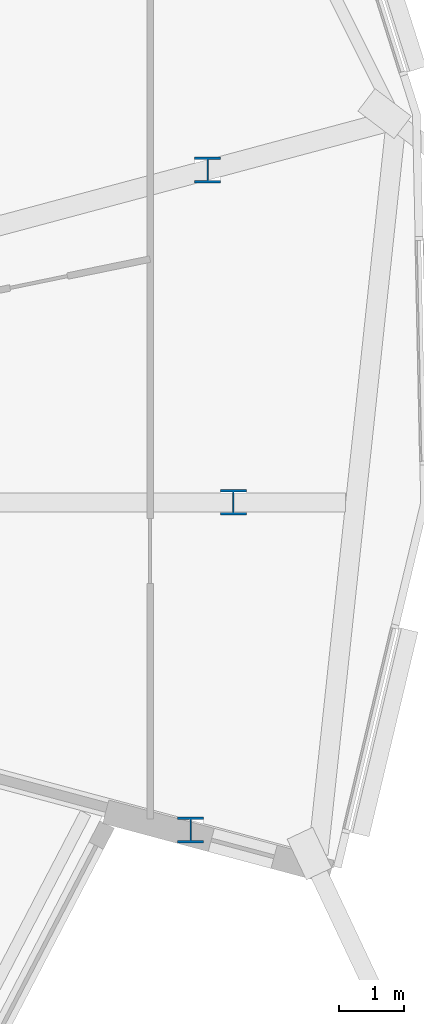
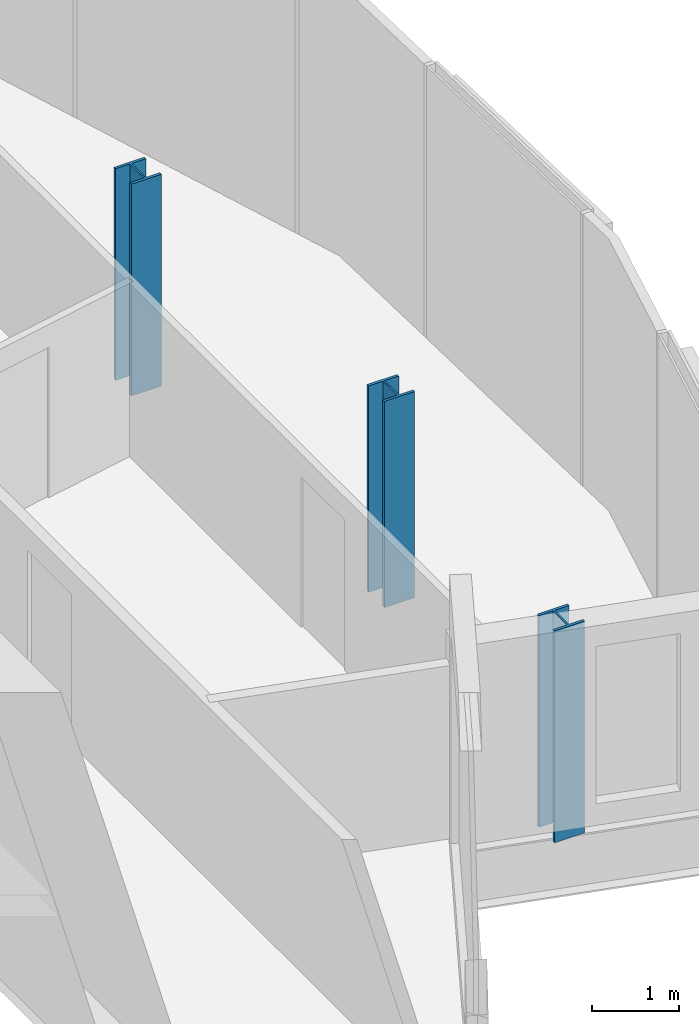
# One storey, part 2 of 42: 3 columns.
"""IFC4 building model written with IfcOpenShell, lengths in metres."""

from ifc_helpers import new_model, si_unit, direction, frame, origin, origin_2d, place, context, subcontext, project, spatial, i_section, extrude, material, material_profile, profile_set, type_object, element, save


model = new_model("IFC4")

# Units and contexts
model_context = context("Model", 3, precision=1e-05, world=origin(), true_north=direction((0.0, 1.0)))
body_context = subcontext(model_context, "Body", "Model", "MODEL_VIEW")
ifc_project = project(units=[si_unit("LENGTHUNIT", "METRE"), si_unit("AREAUNIT", "SQUARE_METRE"), si_unit("VOLUMEUNIT", "CUBIC_METRE"), si_unit("PLANEANGLEUNIT", "RADIAN"), si_unit("MASSUNIT", "GRAM", prefix="KILO")], contexts=[model_context])

# Site, building, storey
site_placement = place(None, origin())
site = spatial("IfcSite", under=ifc_project, at=site_placement, CompositionType="ELEMENT")
building_placement = place(site_placement, origin())
building = spatial("IfcBuilding", under=site, at=building_placement, Name="Rimbun Link Towers", CompositionType="ELEMENT")
storey_placement = place(building_placement, frame((0.0, 0.0, 85.39990234375)))
storey = spatial("IfcBuildingStorey", under=building, at=storey_placement, Name="L20", CompositionType="ELEMENT", Elevation=85.39990234375)

# Columns
ifc_material = material(Name="Steel S355J2", Category="steel")
ifc_material_profile = material_profile(ifc_material, i_section(OverallWidth=0.39892578125, OverallDepth=0.3935546875, WebThickness=0.022705078125, FlangeThickness=0.03662109375, at=origin_2d()), Name="UC 356x406x287")
ifc_profile_set = profile_set([ifc_material_profile], Name="Steel S355J2")
column_type = type_object("IfcColumnType", Name="UC 356x406x287", PredefinedType="COLUMN", material=ifc_profile_set)
column_1_placement = place(storey_placement, frame((50.542724609375, -5.035400390625, -0.159912109375), z_axis=(0.0, 0.0, 1.0), x_axis=(1.0, 0.0, 0.0)))
element("IfcColumn", 1, at=column_1_placement, inside=storey, type_object=column_type, Name="Crease post T2 L20 20", PredefinedType="COLUMN", context=body_context, shape_type="SweptSolid", body=[
    extrude(i_section(OverallWidth=0.39892578125, OverallDepth=0.3935546875, WebThickness=0.022705078125, FlangeThickness=0.03662109375, at=origin_2d()), origin(), (0.0, 0.0, 1.0), 2.959228515625),
])
column_2_placement = place(storey_placement, frame((51.201416015625, 0.0, -0.159912109375), z_axis=(0.0, 0.0, 1.0), x_axis=(1.0, 0.0, 0.0)))
element("IfcColumn", 2, at=column_2_placement, inside=storey, type_object=column_type, Name="Crease post T2 L20 21", PredefinedType="COLUMN", context=body_context, shape_type="SweptSolid", body=[
    extrude(i_section(OverallWidth=0.39892578125, OverallDepth=0.3935546875, WebThickness=0.022705078125, FlangeThickness=0.03662109375, at=origin_2d()), origin(), (0.0, 0.0, 1.0), 2.881591796875),
])
column_3_placement = place(storey_placement, frame((50.805908203125, 5.10595703125, -0.159912109375), z_axis=(0.0, 0.0, 1.0), x_axis=(1.0, 0.0, 0.0)))
element("IfcColumn", 3, at=column_3_placement, inside=storey, type_object=column_type, Name="Crease post T2 L20 22", PredefinedType="COLUMN", context=body_context, shape_type="SweptSolid", body=[
    extrude(i_section(OverallWidth=0.39892578125, OverallDepth=0.3935546875, WebThickness=0.022705078125, FlangeThickness=0.03662109375, at=origin_2d()), origin(), (0.0, 0.0, 1.0), 2.959228515625),
])

save(model, "model.ifc")
